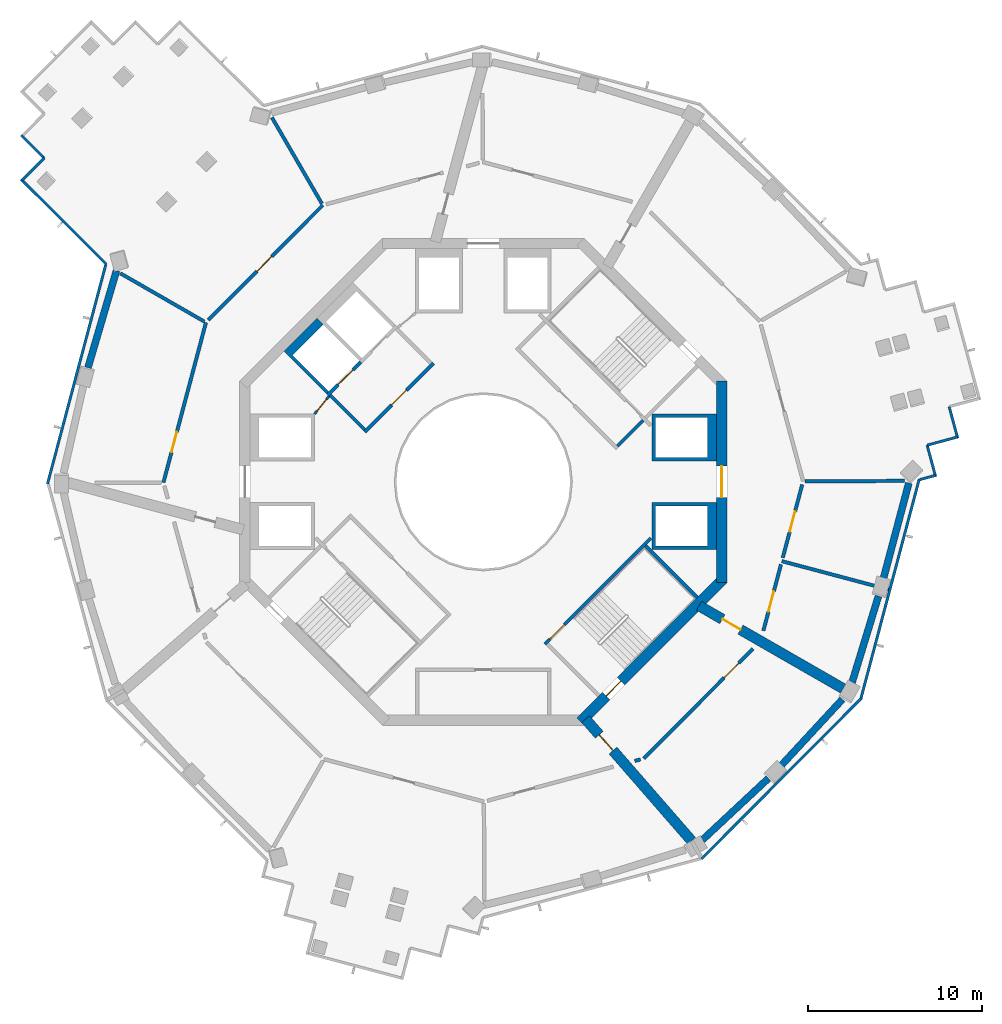
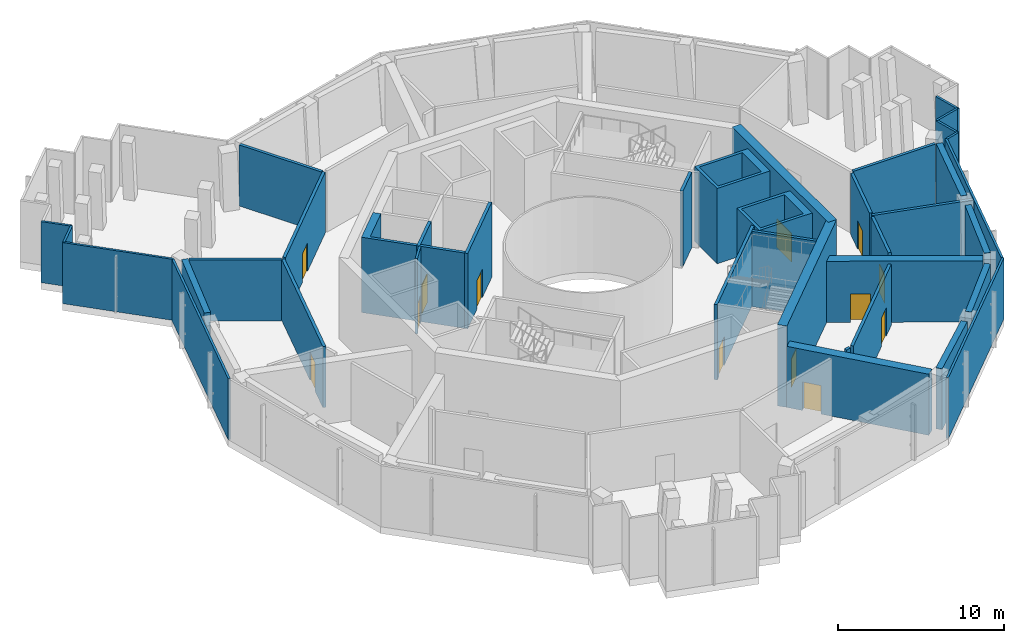
# One storey, part 3 of 16: 39 walls, 13 doors, 13 openings.
"""IFC4 building model written with IfcOpenShell, lengths in metres."""

import ifcopenshell
import ifcopenshell.guid

model = None  # the IFC model being written
_history = None  # IfcOwnerHistory: only IFC2X3 demands one
_inside = {}  # id of a spatial element -> (the spatial element, [elements in it])
_under = {}  # id of a project, library or spatial element -> (it, [spatial elements below it])
_declared = {}  # id of a project -> (the project, [libraries it declares])
_typed = {}  # id of a type object -> (the type object, [elements of that type])
_made_of = {}  # id of a material, layer set ... -> (it, [elements and type objects made of it])


def new_model(schema):
    """Start an empty IFC model of exactly this schema.

    Asked for "IFC4X3", IfcOpenShell would pick the latest addendum, in which some entities
    have other attributes; the version numbers below select the first issue.
    IFC2X3 requires an IfcOwnerHistory on every rooted entity: one is made here for all.
    """
    global model, _history
    if schema == "IFC4X3":
        model = ifcopenshell.file(schema_version=(4, 3, 0, 0))
    else:
        model = ifcopenshell.file(schema=schema)
    _inside.clear()
    _under.clear()
    _declared.clear()
    _typed.clear()
    _made_of.clear()
    _history = None
    if model.schema == "IFC2X3":
        org = make("IfcOrganization", Name="unknown")
        user = make(
            "IfcPersonAndOrganization",
            ThePerson=make("IfcPerson", FamilyName="unknown"),
            TheOrganization=org,
        )
        app = make(
            "IfcApplication",
            ApplicationDeveloper=org,
            Version="unknown",
            ApplicationFullName="unknown",
            ApplicationIdentifier="unknown",
        )
        _history = make(
            "IfcOwnerHistory",
            OwningUser=user,
            OwningApplication=app,
            ChangeAction="ADDED",
            CreationDate=0,
        )
    return model


def make(cls, **values):
    """One entity of the class cls with the attributes given. An attribute that is None is left unset."""
    return model.create_entity(
        cls, **{name: value for name, value in values.items() if value is not None}
    )


def rooted(cls, **values):
    """An entity with a GlobalId (a new one), such as an element, a storey or a relation."""
    return make(cls, GlobalId=ifcopenshell.guid.new(), OwnerHistory=_history, **values)


def si_unit(unit_type, name, prefix=None):
    """IfcSIUnit, for example si_unit("LENGTHUNIT", "METRE", prefix="MILLI")."""
    return make("IfcSIUnit", UnitType=unit_type, Prefix=prefix, Name=name)


def assignment(units):
    """IfcUnitAssignment: the units of a project."""
    return None if units is None else make("IfcUnitAssignment", Units=units)


def point(xyz):
    """IfcCartesianPoint."""
    return None if xyz is None else make("IfcCartesianPoint", Coordinates=xyz)


def direction(xyz):
    """IfcDirection."""
    return None if xyz is None else make("IfcDirection", DirectionRatios=xyz)


def frame(location, z_axis=None, x_axis=None):
    """IfcAxis2Placement3D, a coordinate frame: its origin and axes. An axis left out is left unset."""
    return make(
        "IfcAxis2Placement3D",
        Location=point(location),
        Axis=direction(z_axis),
        RefDirection=direction(x_axis),
    )


def frame_2d(location, x_axis=None):
    """IfcAxis2Placement2D, a coordinate frame in the plane: its origin and x axis."""
    return make(
        "IfcAxis2Placement2D", Location=point(location), RefDirection=direction(x_axis)
    )


def origin():
    """The frame at (0, 0, 0) with its axes left unset."""
    return frame((0.0, 0.0, 0.0))


def place(relative_to, where):
    """IfcLocalPlacement: puts the frame where relative to a parent placement (None: the world)."""
    return make(
        "IfcLocalPlacement", PlacementRelTo=relative_to, RelativePlacement=where
    )


def context(
    kind, dimensions, precision=None, world=None, true_north=None, identifier=None
):
    """IfcGeometricRepresentationContext, for example the 3D "Model" context."""
    return make(
        "IfcGeometricRepresentationContext",
        ContextIdentifier=identifier,
        ContextType=kind,
        CoordinateSpaceDimension=dimensions,
        Precision=precision,
        WorldCoordinateSystem=world,
        TrueNorth=true_north,
    )


def subcontext(parent, identifier, kind, view, scale=None):
    """IfcGeometricRepresentationSubContext, for example "Body" below "Model"."""
    return make(
        "IfcGeometricRepresentationSubContext",
        ContextIdentifier=identifier,
        ContextType=kind,
        ParentContext=parent,
        TargetScale=scale,
        TargetView=view,
    )


def project(units=None, contexts=None):
    """IfcProject with its units and contexts."""
    return rooted(
        "IfcProject",
        Name="project",
        RepresentationContexts=contexts,
        UnitsInContext=assignment(units),
    )


def spatial(cls, under=None, at=None, **own):
    """A site, building, storey or space (cls), placed at a placement, below another one or the project."""
    s = rooted(cls, ObjectPlacement=at, **own)
    if under is not None:
        _under.setdefault(under.id(), (under, []))[1].append(s)
    return s


def polyline(points):
    """IfcPolyline through the points."""
    return make("IfcPolyline", Points=[point(p) for p in points])


def profile(cls, at=None, kind="AREA", **sizes):
    """A parametric profile (cls). Its sizes go by their IFC names, for example OverallWidth=200.0."""
    return make(cls, ProfileType=kind, Position=at, **sizes)


def rectangle(**sizes):
    """IfcRectangleProfileDef."""
    return profile("IfcRectangleProfileDef", **sizes)


def outline(outer, holes=None, kind="AREA"):
    """IfcArbitraryClosedProfileDef: a profile drawn as a closed curve; with holes, ...WithVoids."""
    if holes is None:
        return make("IfcArbitraryClosedProfileDef", ProfileType=kind, OuterCurve=outer)
    return make(
        "IfcArbitraryProfileDefWithVoids",
        ProfileType=kind,
        OuterCurve=outer,
        InnerCurves=holes,
    )


def extrude(swept, where, along, depth):
    """IfcExtrudedAreaSolid: the profile swept, set in the frame where, extruded along a direction by depth."""
    return make(
        "IfcExtrudedAreaSolid",
        SweptArea=swept,
        Position=where,
        ExtrudedDirection=direction(along),
        Depth=depth,
    )


def shape(context_of_items, identifier, shape_type, items):
    """IfcShapeRepresentation: the items that make up one representation, for example the "Body"."""
    return make(
        "IfcShapeRepresentation",
        ContextOfItems=context_of_items,
        RepresentationIdentifier=identifier,
        RepresentationType=shape_type,
        Items=items,
    )


def material(Name=None, Category=None):
    """IfcMaterial."""
    return make("IfcMaterial", Name=Name, Category=Category)


def layer(
    of_material, thickness, ventilated=None, Name=None, Category=None, Priority=None
):
    """IfcMaterialLayer: one layer of a wall or slab, of a material (None: an air gap)."""
    return make(
        "IfcMaterialLayer",
        Material=of_material,
        LayerThickness=thickness,
        IsVentilated=ventilated,
        Name=Name,
        Category=Category,
        Priority=Priority,
    )


def layer_set(layers, Name=None):
    """IfcMaterialLayerSet."""
    return make("IfcMaterialLayerSet", MaterialLayers=layers, LayerSetName=Name)


def made_of(thing, what):
    """Note that an element or type object is made of a material, layer set ...; save() writes the relation."""
    if what is not None:
        _made_of.setdefault(what.id(), (what, []))[1].append(thing)
    return thing


def type_object(cls, material=None, **own):
    """A type object (cls), such as IfcWallType, which elements share."""
    return made_of(rooted(cls, **own), material)


def element(
    cls,
    number,
    at=None,
    inside=None,
    cuts=None,
    type_object=None,
    material=None,
    context=None,
    identifier="Body",
    shape_type=None,
    held_by="IfcProductDefinitionShape",
    body=None,
    shapes=None,
    **own,
):
    """One element of the class cls, such as IfcWall. Its Tag is "e" and its number.

    at: its placement. inside: the storey or other place that contains it. cuts: it is an
    opening in that element (IfcRelVoidsElement). A single representation is given by context,
    identifier, shape_type and body (its items); several are given by shapes. held_by: the class
    of the entity that holds the representations. save() writes the other relations.
    """
    e = rooted(cls, Tag="e%d" % number, ObjectPlacement=at, **own)
    if body is not None:
        shapes = [shape(context, identifier, shape_type, body)]
    if shapes is not None:
        e.Representation = make(held_by, Representations=shapes)
    if inside is not None:
        _inside.setdefault(inside.id(), (inside, []))[1].append(e)
    if cuts is not None:
        rooted(
            "IfcRelVoidsElement", RelatingBuildingElement=cuts, RelatedOpeningElement=e
        )
    if type_object is not None:
        _typed.setdefault(type_object.id(), (type_object, []))[1].append(e)
    return made_of(e, material)


def fill(opening, filler):
    """IfcRelFillsElement: the door or window that sits in an opening."""
    return rooted(
        "IfcRelFillsElement",
        RelatingOpeningElement=opening,
        RelatedBuildingElement=filler,
    )


def aggregate(whole, parts):
    """IfcRelAggregates: a whole, such as a stair, and the parts it consists of."""
    return rooted("IfcRelAggregates", RelatingObject=whole, RelatedObjects=parts)


def save(model, path):
    """Write the relations noted so far, then the file.

    IfcRelAggregates (storeys below a building ...), IfcRelContainedInSpatialStructure (elements
    in a storey), IfcRelDefinesByType, IfcRelAssociatesMaterial and IfcRelDeclares: one each for
    every whole, place, type object, material and project.
    """
    for whole, parts in _under.values():
        aggregate(whole, parts)
    for where, things in _inside.values():
        rooted(
            "IfcRelContainedInSpatialStructure",
            RelatedElements=things,
            RelatingStructure=where,
        )
    for kind, things in _typed.values():
        rooted("IfcRelDefinesByType", RelatedObjects=things, RelatingType=kind)
    for what, things in _made_of.values():
        rooted("IfcRelAssociatesMaterial", RelatedObjects=things, RelatingMaterial=what)
    for by, libraries in _declared.values():
        rooted("IfcRelDeclares", RelatingContext=by, RelatedDefinitions=libraries)
    model.write(path)


model = new_model("IFC4")

# Units and contexts
model_context = context("Model", 3, precision=1e-05, world=origin(), true_north=direction((0.0, 1.0)))
body_context = subcontext(model_context, "Body", "Model", "MODEL_VIEW")
ifc_project = project(units=[si_unit("LENGTHUNIT", "METRE"), si_unit("AREAUNIT", "SQUARE_METRE"), si_unit("VOLUMEUNIT", "CUBIC_METRE"), si_unit("PLANEANGLEUNIT", "RADIAN"), si_unit("MASSUNIT", "GRAM", prefix="KILO")], contexts=[model_context])

# Site, building, storey
site_placement = place(None, origin())
site = spatial("IfcSite", under=ifc_project, at=site_placement, CompositionType="ELEMENT")
building_placement = place(site_placement, origin())
building = spatial("IfcBuilding", under=site, at=building_placement, Name="Verdalira Terraces Hotel", CompositionType="ELEMENT")
storey_placement = place(building_placement, frame((0.0, 0.0, 216.0)))
storey = spatial("IfcBuildingStorey", under=building, at=storey_placement, Name="L53", CompositionType="ELEMENT", Elevation=216.0)

# Walls
ifc_material_1 = material(Name="Concrete C70", Category="concrete")
ifc_layer_1 = layer(ifc_material_1, 0.39990234375)
ifc_layer_set_1 = layer_set([ifc_layer_1], Name="Belt wall 400 C70")
wall_type_1 = type_object("IfcWallType", Name="Belt wall 400 C70", PredefinedType="SHEAR", material=ifc_layer_set_1)
wall_1_placement = place(storey_placement, frame((-21.085205, 12.136719, 0.0), z_axis=(0.0, 0.0, 1.0), x_axis=(-0.28172699, -0.959494608, 0.0)))
element("IfcWall", 1, at=wall_1_placement, inside=storey, type_object=wall_type_1, Name="Belt wall BW-53-1", PredefinedType="SHEAR", context=body_context, shape_type="SweptSolid", body=[
    extrude(rectangle(XDim=5.806885, YDim=0.399902, at=frame_2d((2.90332, 0.0))), origin(), (0.0, 0.0, 1.0), 4.5),
])
wall_2_placement = place(storey_placement, frame((12.593018, -20.586426, 0.0), z_axis=(0.0, 0.0, 1.0), x_axis=(0.731095933, 0.682274678, 0.0)))
element("IfcWall", 2, at=wall_2_placement, inside=storey, type_object=wall_type_1, Name="Belt wall BW-53-9", PredefinedType="SHEAR", context=body_context, shape_type="SweptSolid", body=[
    extrude(rectangle(XDim=5.190674, YDim=0.399902, at=frame_2d((2.595215, 0.0))), origin(), (0.0, 0.0, 1.0), 4.5),
])
for number, where, z_axis, x_axis, name in (
    (3, (17.113281, -16.316406, 0.0), (0.0, 0.0, 1.0), (0.679203547, 0.733949959, 0.0), "Belt wall BW-53-10"),
    (4, (21.198975, -11.531738, 0.0), (0.0, 0.0, 1.0), (0.29202615, 0.956410334, 0.0), "Belt wall BW-53-11"),
):
    element("IfcWall", number, at=place(storey_placement, frame(where, z_axis=z_axis, x_axis=x_axis)), inside=storey, type_object=wall_type_1, Name=name, PredefinedType="SHEAR", context=body_context, shape_type="SweptSolid", body=[
        extrude(rectangle(XDim=5.190918, YDim=0.399902, at=frame_2d((2.595459, 0.0))), origin(), (0.0, 0.0, 1.0), 4.5),
    ])
wall_3_placement = place(storey_placement, frame((22.993408, -5.592041, 0.0), z_axis=(0.0, 0.0, 1.0), x_axis=(0.256776872, 0.966470712, 0.0)))
element("IfcWall", 5, at=wall_3_placement, inside=storey, type_object=wall_type_1, Name="Belt wall BW-53-12", PredefinedType="SHEAR", context=body_context, shape_type="SweptSolid", body=[
    extrude(rectangle(XDim=5.713379, YDim=0.399902, at=frame_2d((2.856689, 0.0))), origin(), (0.0, 0.0, 1.0), 4.5),
])
ifc_material_2 = material(Name="Concrete C50", Category="concrete")
ifc_layer_2 = layer(ifc_material_2, 0.199951171875)
ifc_layer_set_2 = layer_set([ifc_layer_2], Name="Core RC wall 200 C50")
wall_type_2 = type_object("IfcWallType", Name="Core RC wall 200 C50", PredefinedType="SOLIDWALL", material=ifc_layer_set_2)
wall_4_placement = place(storey_placement, origin())
element("IfcWall", 6, at=wall_4_placement, inside=storey, type_object=wall_type_2, Name="L53 shaft wall E1", PredefinedType="SOLIDWALL", context=body_context, shape_type="SweptSolid", body=[
    extrude(outline(polyline([(13.399902, -1.199951), (13.399902, -3.899902), (9.699951, -3.899902), (9.699951, -1.199951), (13.399902, -1.199951)]), holes=[polyline([(9.899902, -3.699951), (12.899902, -3.699951), (12.899902, -1.399902), (9.899902, -1.399902), (9.899902, -3.699951)])]), origin(), (0.0, 0.0, 1.0), 5.550049),
])
wall_5_placement = place(storey_placement, origin())
element("IfcWall", 7, at=wall_5_placement, inside=storey, type_object=wall_type_2, Name="L53 shaft wall E2", PredefinedType="SOLIDWALL", context=body_context, shape_type="SweptSolid", body=[
    extrude(outline(polyline([(9.699951, 3.899902), (13.399902, 3.899902), (13.399902, 1.199951), (9.699951, 1.199951), (9.699951, 3.899902)]), holes=[polyline([(12.899902, 1.399902), (12.899902, 3.699951), (9.899902, 3.699951), (9.899902, 1.399902), (12.899902, 1.399902)])]), origin(), (0.0, 0.0, 1.0), 5.550049),
])
wall_6_placement = place(storey_placement, origin())
element("IfcWall", 8, at=wall_6_placement, inside=storey, type_object=wall_type_2, Name="L53 shaft wall F2", PredefinedType="SOLIDWALL", context=body_context, shape_type="SweptSolid", body=[
    extrude(outline(polyline([(-11.455078, 7.495361), (-9.545898, 9.404541), (-9.192383, 9.051025), (-10.960205, 7.283203), (-8.874268, 5.197266), (-9.015625, 5.055908), (-11.455078, 7.495361)])), origin(), (0.0, 0.0, 1.0), 5.550049),
])

# Wall, opening, door
wall_7_placement = place(storey_placement, frame((-7.035645, 6.894287, 0.0), z_axis=(0.0, 0.0, 1.0), x_axis=(-0.707106781, -0.707106781, 0.0)))
wall_7 = element("IfcWall", 9, at=wall_7_placement, inside=storey, type_object=wall_type_2, Name="L53 shaft front wall F2", PredefinedType="SOLIDWALL", context=body_context, shape_type="SweptSolid", body=[
    extrude(rectangle(XDim=2.699951, YDim=0.199951, at=frame_2d((1.350098, 0.0))), origin(), (0.0, 0.0, 1.0), 5.550049),
])
opening_1_placement = place(wall_7_placement, frame((0.649902, 0.0, 0.0)))
opening_1 = element("IfcOpeningElement", 10, at=opening_1_placement, cuts=wall_7, Name="Opening LD-L53-803", PredefinedType="OPENING", context=body_context, shape_type="SweptSolid", body=[
    extrude(rectangle(XDim=1.199951, YDim=2.100098, at=frame_2d((0.600098, 1.050049))), frame((0.0, 0.109863, 0.0), z_axis=(0.0, -1.0, 0.0), x_axis=(1.0, 0.0, 0.0)), (0.0, 0.0, 1.0), 0.219971),
])
ifc_material_3 = material(Name="Stainless steel", Category="steel")
door_type_1 = type_object("IfcDoorType", Name="Landing door 1200 x 2100", OperationType="NOTDEFINED", PredefinedType="DOOR", material=ifc_material_3)
door_1_placement = place(opening_1_placement, origin())
door_1 = element("IfcDoor", 11, at=door_1_placement, inside=storey, type_object=door_type_1, Name="Lift landing door LF12 L53", OperationType="DOUBLE_DOOR_SLIDING", OverallHeight=2.10009765625, OverallWidth=1.199951171875, PredefinedType="DOOR", context=body_context, shape_type="SweptSolid", body=[
    extrude(rectangle(XDim=1.199951, YDim=2.100098, at=frame_2d((0.600098, 1.050049))), frame((0.0, 0.024902, 0.0), z_axis=(0.0, -1.0, 0.0), x_axis=(1.0, 0.0, 0.0)), (0.0, 0.0, 1.0), 0.050049),
])
fill(opening_1, door_1)

wall_8_placement = place(storey_placement, frame((9.629395, -3.23999, 0.0), z_axis=(0.0, 0.0, 1.0), x_axis=(-0.707120946, -0.707092617, 0.0)))
wall_8 = element("IfcWall", 12, at=wall_8_placement, inside=storey, type_object=wall_type_2, Name="L53 stair ST3 front wall", PredefinedType="SOLIDWALL", context=body_context, shape_type="SweptSolid", body=[
    extrude(rectangle(XDim=8.61792, YDim=0.199951, at=frame_2d((4.309082, 0.0))), origin(), (0.0, 0.0, 1.0), 5.550049),
])
opening_2_placement = place(wall_8_placement, frame((7.017822, 0.0, 0.0)))
opening_2 = element("IfcOpeningElement", 13, at=opening_2_placement, cuts=wall_8, Name="Opening L53-806", PredefinedType="OPENING", context=body_context, shape_type="SweptSolid", body=[
    extrude(rectangle(XDim=1.199951, YDim=2.100098, at=frame_2d((0.600098, 1.050049))), frame((0.0, 0.109863, 0.0), z_axis=(0.0, -1.0, 0.0), x_axis=(1.0, 0.0, 0.0)), (0.0, 0.0, 1.0), 0.219971),
])
ifc_material_4 = material(Name="Steel fire door", Category="steel")
door_type_2 = type_object("IfcDoorType", Name="Stair door 1200 x 2100", OperationType="NOTDEFINED", PredefinedType="DOOR", material=ifc_material_4)
door_2_placement = place(opening_2_placement, origin())
door_2 = element("IfcDoor", 14, at=door_2_placement, inside=storey, type_object=door_type_2, Name="Stair door ST3 L53", OperationType="SINGLE_SWING_RIGHT", OverallHeight=2.10009765625, OverallWidth=1.199951171875, PredefinedType="DOOR", context=body_context, shape_type="SweptSolid", body=[
    extrude(rectangle(XDim=1.199951, YDim=2.100098, at=frame_2d((0.600098, 1.050049))), frame((0.0, 0.024902, 0.0), z_axis=(0.0, -1.0, 0.0), x_axis=(1.0, 0.0, 0.0)), (0.0, 0.0, 1.0), 0.050049),
])
fill(opening_2, door_2)

# Wall
wall_9_placement = place(storey_placement, frame((9.33374, -3.677002, 0.0), z_axis=(0.0, 0.0, 1.0), x_axis=(0.707135845, -0.707077716, 0.0)))
element("IfcWall", 15, at=wall_9_placement, inside=storey, type_object=wall_type_2, Name="L53 stair ST3 end wall 2", PredefinedType="SOLIDWALL", context=body_context, shape_type="SweptSolid", body=[
    extrude(rectangle(XDim=4.199951, YDim=0.199951, at=frame_2d((2.100098, 0.0))), origin(), (0.0, 0.0, 1.0), 5.550049),
])

# Wall, opening, door
wall_10_placement = place(storey_placement, frame((-2.86377, 6.823486, 0.0), z_axis=(0.0, 0.0, 1.0), x_axis=(-0.707106781, -0.707106781, 0.0)))
wall_10 = element("IfcWall", 16, at=wall_10_placement, inside=storey, type_object=wall_type_2, Name="L53 fire lobby wall", PredefinedType="SOLIDWALL", context=body_context, shape_type="SweptSolid", body=[
    extrude(rectangle(XDim=5.599854, YDim=0.199951, at=frame_2d((2.799805, 0.0))), origin(), (0.0, 0.0, 1.0), 5.550049),
])
opening_3_placement = place(wall_10_placement, frame((2.199951, 0.0, 0.0)))
opening_3 = element("IfcOpeningElement", 17, at=opening_3_placement, cuts=wall_10, Name="Opening L53-813", PredefinedType="OPENING", context=body_context, shape_type="SweptSolid", body=[
    extrude(rectangle(XDim=1.199951, YDim=2.100098, at=frame_2d((0.600098, 1.050049))), frame((0.0, 0.109863, 0.0), z_axis=(0.0, -1.0, 0.0), x_axis=(1.0, 0.0, 0.0)), (0.0, 0.0, 1.0), 0.219971),
])
ifc_material_5 = material(Name="Steel fire door", Category="steel")
door_type_3 = type_object("IfcDoorType", Name="Lobby door 1200 x 2100", OperationType="NOTDEFINED", PredefinedType="DOOR", material=ifc_material_5)
door_3_placement = place(opening_3_placement, origin())
door_3 = element("IfcDoor", 18, at=door_3_placement, inside=storey, type_object=door_type_3, Name="Fire lobby door L53", OperationType="SINGLE_SWING_LEFT", OverallHeight=2.10009765625, OverallWidth=1.199951171875, PredefinedType="DOOR", context=body_context, shape_type="SweptSolid", body=[
    extrude(rectangle(XDim=1.199951, YDim=2.100098, at=frame_2d((0.600098, 1.050049))), frame((0.0, 0.024902, 0.0), z_axis=(0.0, -1.0, 0.0), x_axis=(1.0, 0.0, 0.0)), (0.0, 0.0, 1.0), 0.050049),
])
fill(opening_3, door_3)

# Walls
wall_11_placement = place(storey_placement, frame((-6.823486, 3.005127, 0.0), z_axis=(0.0, 0.0, 1.0), x_axis=(-0.707106781, 0.707106781, 0.0)))
element("IfcWall", 19, at=wall_11_placement, inside=storey, type_object=wall_type_2, Name="L53 fire lobby wall", PredefinedType="SOLIDWALL", context=body_context, shape_type="SweptSolid", body=[
    extrude(rectangle(XDim=2.800049, YDim=0.199951, at=frame_2d((1.399902, 0.0))), origin(), (0.0, 0.0, 1.0), 5.550049),
])
wall_12_placement = place(storey_placement, frame((7.70752, 2.050537, 0.0), z_axis=(0.0, 0.0, 1.0), x_axis=(0.707106781, 0.707106781, 0.0)))
element("IfcWall", 20, at=wall_12_placement, inside=storey, type_object=wall_type_2, Name="Stair lobby wall ST1 L53", PredefinedType="SOLIDWALL", context=body_context, shape_type="SweptSolid", body=[
    extrude(rectangle(XDim=2.099854, YDim=0.199951, at=frame_2d((1.049805, 0.0))), origin(), (0.0, 0.0, 1.0), 5.550049),
])

# Wall, opening, door
ifc_material_6 = material(Name="Gypsum board partition")
ifc_layer_3 = layer(ifc_material_6, 0.14990234375)
ifc_layer_set_3 = layer_set([ifc_layer_3], Name="Core partition 150 mm")
wall_type_3 = type_object("IfcWallType", Name="Core partition 150 mm", PredefinedType="PARTITIONING", material=ifc_layer_set_3)
wall_13_placement = place(storey_placement, frame((-8.874268, 4.914307, 0.0), z_axis=(0.0, 0.0, 1.0), x_axis=(-0.631274009, -0.775559878, 0.0)))
wall_13 = element("IfcWall", 21, at=wall_13_placement, inside=storey, type_object=wall_type_3, Name="Room partition L53", PredefinedType="PARTITIONING", context=body_context, shape_type="SweptSolid", body=[
    extrude(rectangle(XDim=1.307861, YDim=0.149902, at=frame_2d((0.653809, 0.0))), origin(), (0.0, 0.0, 1.0), 5.550049),
])
opening_4_placement = place(wall_13_placement, frame((0.204102, 0.0, 0.0)))
opening_4 = element("IfcOpeningElement", 22, at=opening_4_placement, cuts=wall_13, Name="Opening L53-815", PredefinedType="OPENING", context=body_context, shape_type="SweptSolid", body=[
    extrude(rectangle(XDim=0.899902, YDim=2.100098, at=frame_2d((0.449951, 1.050049))), frame((0.0, 0.084961, 0.0), z_axis=(0.0, -1.0, 0.0), x_axis=(1.0, 0.0, 0.0)), (0.0, 0.0, 1.0), 0.169922),
])
ifc_material_7 = material(Name="Steel fire door", Category="steel")
door_type_4 = type_object("IfcDoorType", Name="Core room door 900 x 2100", OperationType="NOTDEFINED", PredefinedType="DOOR", material=ifc_material_7)
door_4_placement = place(opening_4_placement, origin())
door_4 = element("IfcDoor", 23, at=door_4_placement, inside=storey, type_object=door_type_4, Name="Door L53 room3", OperationType="SINGLE_SWING_LEFT", OverallHeight=2.10009765625, OverallWidth=0.89990234375, PredefinedType="DOOR", context=body_context, shape_type="SweptSolid", body=[
    extrude(rectangle(XDim=0.899902, YDim=2.100098, at=frame_2d((0.449951, 1.050049))), frame((0.0, 0.024902, 0.0), z_axis=(0.0, -1.0, 0.0), x_axis=(1.0, 0.0, 0.0)), (0.0, 0.0, 1.0), 0.050049),
])
fill(opening_4, door_4)

ifc_material_8 = material(Name="Concrete C60", Category="concrete")
ifc_layer_4 = layer(ifc_material_8, 0.60009765625)
ifc_layer_set_4 = layer_set([ifc_layer_4], Name="Core wall 600 C60")
wall_type_4 = type_object("IfcWallType", Name="Core wall 600 C60", PredefinedType="SHEAR", material=ifc_layer_set_4)
wall_14_placement = place(storey_placement, frame((13.699951, -5.799072, 0.0), z_axis=(0.0, 0.0, 1.0), x_axis=(0.0, 1.0, 0.0)))
wall_14 = element("IfcWall", 24, at=wall_14_placement, inside=storey, type_object=wall_type_4, Name="Core wall CW-L53-1", PredefinedType="SHEAR", context=body_context, shape_type="SweptSolid", body=[
    extrude(rectangle(XDim=11.598145, YDim=0.600098, at=frame_2d((5.799072, 0.0))), origin(), (0.0, 0.0, 1.0), 6.0),
])
opening_5_placement = place(wall_14_placement, frame((4.898926, 0.0, 0.0)))
opening_5 = element("IfcOpeningElement", 25, at=opening_5_placement, cuts=wall_14, Name="Opening L53-807", PredefinedType="OPENING", context=body_context, shape_type="SweptSolid", body=[
    extrude(rectangle(XDim=1.800049, YDim=2.100098, at=frame_2d((0.899902, 1.050049))), frame((0.0, 0.310059, 0.0), z_axis=(0.0, -1.0, 0.0), x_axis=(1.0, 0.0, 0.0)), (0.0, 0.0, 1.0), 0.620117),
])
ifc_material_9 = material(Name="Steel fire door", Category="steel")
door_type_5 = type_object("IfcDoorType", Name="Core entry door pair 1800 x 2100", OperationType="NOTDEFINED", PredefinedType="DOOR", material=ifc_material_9)
door_5_placement = place(opening_5_placement, origin())
door_5 = element("IfcDoor", 26, at=door_5_placement, inside=storey, type_object=door_type_5, Name="Core entry door L53 0", OperationType="DOUBLE_DOOR_SINGLE_SWING", OverallHeight=2.10009765625, OverallWidth=1.800048828125, PredefinedType="DOOR", context=body_context, shape_type="SweptSolid", body=[
    extrude(rectangle(XDim=1.800049, YDim=2.100098, at=frame_2d((0.899902, 1.050049))), frame((0.0, 0.024902, 0.0), z_axis=(0.0, -1.0, 0.0), x_axis=(1.0, 0.0, 0.0)), (0.0, 0.0, 1.0), 0.050049),
])
fill(opening_5, door_5)

wall_15_placement = place(storey_placement, frame((5.586914, -13.787842, 0.0), z_axis=(0.0, 0.0, 1.0), x_axis=(0.707106781, 0.707106781, 0.0)))
wall_15 = element("IfcWall", 27, at=wall_15_placement, inside=storey, type_object=wall_type_4, Name="Core wall CW-L53-8", PredefinedType="SHEAR", context=body_context, shape_type="SweptSolid", body=[
    extrude(rectangle(XDim=11.5979, YDim=0.600098, at=frame_2d((5.798828, 0.0))), origin(), (0.0, 0.0, 1.0), 6.0),
])
opening_6_placement = place(wall_15_placement, frame((2.099121, 0.0, 0.0)))
opening_6 = element("IfcOpeningElement", 28, at=opening_6_placement, cuts=wall_15, Name="Opening L53-812", PredefinedType="OPENING", context=body_context, shape_type="SweptSolid", body=[
    extrude(rectangle(XDim=1.199951, YDim=2.100098, at=frame_2d((0.600098, 1.050049))), frame((0.0, 0.310059, 0.0), z_axis=(0.0, -1.0, 0.0), x_axis=(1.0, 0.0, 0.0)), (0.0, 0.0, 1.0), 0.620117),
])
door_6_placement = place(opening_6_placement, origin())
door_6 = element("IfcDoor", 29, at=door_6_placement, inside=storey, type_object=door_type_2, Name="Stair exit door ST3 L53", OperationType="SINGLE_SWING_LEFT", OverallHeight=2.10009765625, OverallWidth=1.199951171875, PredefinedType="DOOR", context=body_context, shape_type="SweptSolid", body=[
    extrude(rectangle(XDim=1.199951, YDim=2.100098, at=frame_2d((0.600098, 1.050049))), frame((0.0, 0.024902, 0.0), z_axis=(0.0, -1.0, 0.0), x_axis=(1.0, 0.0, 0.0)), (0.0, 0.0, 1.0), 0.050049),
])
fill(opening_6, door_6)

ifc_material_10 = material(Name="Concrete C70", Category="concrete")
ifc_layer_5 = layer(ifc_material_10, 0.60009765625)
ifc_layer_set_5 = layer_set([ifc_layer_5], Name="Outrigger wall 600 C70")
wall_type_5 = type_object("IfcWallType", Name="Outrigger wall 600 C70", PredefinedType="SHEAR", material=ifc_layer_set_5)
wall_16_placement = place(storey_placement, frame((5.87915, -13.637695, 0.0), z_axis=(0.0, 0.0, 1.0), x_axis=(0.656669219, -0.754178716, 0.0)))
wall_16 = element("IfcWall", 30, at=wall_16_placement, inside=storey, type_object=wall_type_5, Name="Outrigger wall OW-53-3", PredefinedType="SHEAR", context=body_context, shape_type="SweptSolid", body=[
    extrude(rectangle(XDim=9.276367, YDim=0.600098, at=frame_2d((4.638184, 0.0))), origin(), (0.0, 0.0, 1.0), 4.5),
])
opening_7_placement = place(wall_16_placement, frame((1.199951, 0.0, 0.0)))
opening_7 = element("IfcOpeningElement", 31, at=opening_7_placement, cuts=wall_16, Name="Opening L53-103", PredefinedType="OPENING", context=body_context, shape_type="SweptSolid", body=[
    extrude(rectangle(XDim=1.199951, YDim=2.100098, at=frame_2d((0.600098, 1.050049))), frame((0.0, 0.310059, 0.0), z_axis=(0.0, -1.0, 0.0), x_axis=(1.0, 0.0, 0.0)), (0.0, 0.0, 1.0), 0.620117),
])
ifc_material_11 = material(Name="Steel fire door", Category="steel")
door_type_6 = type_object("IfcDoorType", Name="Plant room door 1200 x 2100", OperationType="NOTDEFINED", PredefinedType="DOOR", material=ifc_material_11)
door_7_placement = place(opening_7_placement, origin())
door_7 = element("IfcDoor", 32, at=door_7_placement, inside=storey, type_object=door_type_6, Name="Plant room door", OperationType="SINGLE_SWING_LEFT", OverallHeight=2.10009765625, OverallWidth=1.199951171875, PredefinedType="DOOR", context=body_context, shape_type="SweptSolid", body=[
    extrude(rectangle(XDim=1.199951, YDim=2.100098, at=frame_2d((0.600098, 1.050049))), frame((0.0, 0.024902, 0.0), z_axis=(0.0, -1.0, 0.0), x_axis=(1.0, 0.0, 0.0)), (0.0, 0.0, 1.0), 0.050049),
])
fill(opening_7, door_7)

wall_17_placement = place(storey_placement, frame((12.400879, -7.125, 0.0), z_axis=(0.0, 0.0, 1.0), x_axis=(0.867072189, -0.498182515, 0.0)))
wall_17 = element("IfcWall", 33, at=wall_17_placement, inside=storey, type_object=wall_type_5, Name="Outrigger wall OW-53-4", PredefinedType="SHEAR", context=body_context, shape_type="SweptSolid", body=[
    extrude(rectangle(XDim=9.552734, YDim=0.600098, at=frame_2d((4.776367, 0.0))), origin(), (0.0, 0.0, 1.0), 4.5),
])
opening_8_placement = place(wall_17_placement, frame((1.550049, 0.0, 0.0)))
opening_8 = element("IfcOpeningElement", 34, at=opening_8_placement, cuts=wall_17, Name="Opening L53-104", PredefinedType="OPENING", context=body_context, shape_type="SweptSolid", body=[
    extrude(rectangle(XDim=1.199951, YDim=2.100098, at=frame_2d((0.600098, 1.050049))), frame((0.0, 0.310059, 0.0), z_axis=(0.0, -1.0, 0.0), x_axis=(1.0, 0.0, 0.0)), (0.0, 0.0, 1.0), 0.620117),
])
door_8_placement = place(opening_8_placement, origin())
door_8 = element("IfcDoor", 35, at=door_8_placement, inside=storey, type_object=door_type_6, Name="Plant room door", OperationType="SINGLE_SWING_LEFT", OverallHeight=2.10009765625, OverallWidth=1.199951171875, PredefinedType="DOOR", context=body_context, shape_type="SweptSolid", body=[
    extrude(rectangle(XDim=1.199951, YDim=2.100098, at=frame_2d((0.600098, 1.050049))), frame((0.0, 0.024902, 0.0), z_axis=(0.0, -1.0, 0.0), x_axis=(1.0, 0.0, 0.0)), (0.0, 0.0, 1.0), 0.050049),
])
fill(opening_8, door_8)

# Wall
ifc_material_12 = material(Name="Fire-rated concrete block wall", Category="concrete")
ifc_layer_6 = layer(ifc_material_12, 0.199951171875)
ifc_layer_set_6 = layer_set([ifc_layer_6], Name="Plant room wall 200 mm")
wall_type_6 = type_object("IfcWallType", Name="Plant room wall 200 mm", PredefinedType="SOLIDWALL", material=ifc_layer_set_6)
wall_18_placement = place(storey_placement, frame((-16.030762, 9.210693, 0.0), z_axis=(0.0, 0.0, 1.0), x_axis=(-0.867079385, 0.498169991, 0.0)))
element("IfcWall", 36, at=wall_18_placement, inside=storey, type_object=wall_type_6, Name="Plant room wall", PredefinedType="SOLIDWALL", context=body_context, shape_type="SweptSolid", body=[
    extrude(rectangle(XDim=5.575684, YDim=0.199951, at=frame_2d((2.787842, 0.0))), origin(), (0.0, 0.0, 1.0), 4.5),
])

# Wall, opening, door
wall_19_placement = place(storey_placement, frame((-18.384766, -0.038574, 0.0), z_axis=(0.0, 0.0, 1.0), x_axis=(0.256797122, 0.966465332, 0.0)))
wall_19 = element("IfcWall", 37, at=wall_19_placement, inside=storey, type_object=wall_type_6, Name="Plant room wall", PredefinedType="SOLIDWALL", context=body_context, shape_type="SweptSolid", body=[
    extrude(rectangle(XDim=9.516602, YDim=0.199951, at=frame_2d((4.758301, 0.0))), origin(), (0.0, 0.0, 1.0), 4.5),
])
opening_9_placement = place(wall_19_placement, frame((1.800049, 0.0, 0.0)))
opening_9 = element("IfcOpeningElement", 38, at=opening_9_placement, cuts=wall_19, Name="Opening L53-108", PredefinedType="OPENING", context=body_context, shape_type="SweptSolid", body=[
    extrude(rectangle(XDim=1.199951, YDim=2.100098, at=frame_2d((0.600098, 1.050049))), frame((0.0, 0.109863, 0.0), z_axis=(0.0, -1.0, 0.0), x_axis=(1.0, 0.0, 0.0)), (0.0, 0.0, 1.0), 0.219971),
])
door_9_placement = place(opening_9_placement, origin())
door_9 = element("IfcDoor", 39, at=door_9_placement, inside=storey, type_object=door_type_6, Name="Plant room door 5302", OperationType="SINGLE_SWING_LEFT", OverallHeight=2.10009765625, OverallWidth=1.199951171875, PredefinedType="DOOR", context=body_context, shape_type="SweptSolid", body=[
    extrude(rectangle(XDim=1.199951, YDim=2.100098, at=frame_2d((0.600098, 1.050049))), frame((0.0, 0.024902, 0.0), z_axis=(0.0, -1.0, 0.0), x_axis=(1.0, 0.0, 0.0)), (0.0, 0.0, 1.0), 0.050049),
])
fill(opening_9, door_9)

wall_20_placement = place(storey_placement, frame((-15.799805, 9.300781, 0.0), z_axis=(0.0, 0.0, 1.0), x_axis=(0.7056378, 0.708572717, 0.0)))
wall_20 = element("IfcWall", 40, at=wall_20_placement, inside=storey, type_object=wall_type_6, Name="Plant room wall", PredefinedType="SOLIDWALL", context=body_context, shape_type="SweptSolid", body=[
    extrude(rectangle(XDim=9.31665, YDim=0.199951, at=frame_2d((4.658203, 0.0))), origin(), (0.0, 0.0, 1.0), 4.5),
])
opening_10_placement = place(wall_20_placement, frame((3.949951, 0.0, 0.0)))
opening_10 = element("IfcOpeningElement", 41, at=opening_10_placement, cuts=wall_20, Name="Opening L53-107", PredefinedType="OPENING", context=body_context, shape_type="SweptSolid", body=[
    extrude(rectangle(XDim=1.199951, YDim=2.100098, at=frame_2d((0.600098, 1.050049))), frame((0.0, 0.109863, 0.0), z_axis=(0.0, -1.0, 0.0), x_axis=(1.0, 0.0, 0.0)), (0.0, 0.0, 1.0), 0.219971),
])
door_10_placement = place(opening_10_placement, origin())
door_10 = element("IfcDoor", 42, at=door_10_placement, inside=storey, type_object=door_type_6, Name="Plant room door 5301", OperationType="SINGLE_SWING_LEFT", OverallHeight=2.10009765625, OverallWidth=1.199951171875, PredefinedType="DOOR", context=body_context, shape_type="SweptSolid", body=[
    extrude(rectangle(XDim=1.199951, YDim=2.100098, at=frame_2d((0.600098, 1.050049))), frame((0.0, 0.024902, 0.0), z_axis=(0.0, -1.0, 0.0), x_axis=(1.0, 0.0, 0.0)), (0.0, 0.0, 1.0), 0.050049),
])
fill(opening_10, door_10)

# Walls
wall_21_placement = place(storey_placement, frame((-12.150879, 20.94458, 0.0), z_axis=(0.0, 0.0, 1.0), x_axis=(0.501817633, -0.864973447, 0.0)))
element("IfcWall", 43, at=wall_21_placement, inside=storey, type_object=wall_type_6, Name="Plant room wall", PredefinedType="SOLIDWALL", context=body_context, shape_type="SweptSolid", body=[
    extrude(rectangle(XDim=5.72583, YDim=0.199951, at=frame_2d((2.862793, 0.0))), origin(), (0.0, 0.0, 1.0), 4.5),
])
wall_22_placement = place(storey_placement, frame((8.702637, -16.043701, 0.0), z_axis=(0.0, 0.0, 1.0), x_axis=(0.96543627, 0.26063923, 0.0)))
element("IfcWall", 44, at=wall_22_placement, inside=storey, type_object=wall_type_6, Name="Plant room wall", PredefinedType="SOLIDWALL", context=body_context, shape_type="SweptSolid", body=[
    extrude(rectangle(XDim=0.341797, YDim=0.199951, at=frame_2d((0.170898, 0.0))), origin(), (0.0, 0.0, 1.0), 4.5),
])

# Wall, opening, door
wall_23_placement = place(storey_placement, frame((15.502686, -9.599121, 0.0), z_axis=(0.0, 0.0, 1.0), x_axis=(-0.705636952, -0.708573561, 0.0)))
wall_23 = element("IfcWall", 45, at=wall_23_placement, inside=storey, type_object=wall_type_6, Name="Plant room wall", PredefinedType="SOLIDWALL", context=body_context, shape_type="SweptSolid", body=[
    extrude(rectangle(XDim=8.895752, YDim=0.199951, at=frame_2d((4.447754, 0.0))), origin(), (0.0, 0.0, 1.0), 4.5),
])
opening_11_placement = place(wall_23_placement, frame((1.149902, 0.0, 0.0)))
opening_11 = element("IfcOpeningElement", 46, at=opening_11_placement, cuts=wall_23, Name="Opening L53-113", PredefinedType="OPENING", context=body_context, shape_type="SweptSolid", body=[
    extrude(rectangle(XDim=1.199951, YDim=2.100098, at=frame_2d((0.600098, 1.050049))), frame((0.0, 0.109863, 0.0), z_axis=(0.0, -1.0, 0.0), x_axis=(1.0, 0.0, 0.0)), (0.0, 0.0, 1.0), 0.219971),
])
door_11_placement = place(opening_11_placement, origin())
door_11 = element("IfcDoor", 47, at=door_11_placement, inside=storey, type_object=door_type_6, Name="Plant room door 5307", OperationType="SINGLE_SWING_LEFT", OverallHeight=2.10009765625, OverallWidth=1.199951171875, PredefinedType="DOOR", context=body_context, shape_type="SweptSolid", body=[
    extrude(rectangle(XDim=1.199951, YDim=2.100098, at=frame_2d((0.600098, 1.050049))), frame((0.0, 0.024902, 0.0), z_axis=(0.0, -1.0, 0.0), x_axis=(1.0, 0.0, 0.0)), (0.0, 0.0, 1.0), 0.050049),
])
fill(opening_11, door_11)

wall_24_placement = place(storey_placement, frame((17.111328, -4.753662, 0.0), z_axis=(0.0, 0.0, 1.0), x_axis=(-0.256794113, -0.966466132, 0.0)))
wall_24 = element("IfcWall", 48, at=wall_24_placement, inside=storey, type_object=wall_type_6, Name="Plant room wall", PredefinedType="SOLIDWALL", context=body_context, shape_type="SweptSolid", body=[
    extrude(rectangle(XDim=3.937012, YDim=0.199951, at=frame_2d((1.968506, 0.0))), origin(), (0.0, 0.0, 1.0), 4.5),
])
opening_12_placement = place(wall_24_placement, frame((1.600098, 0.0, 0.0)))
opening_12 = element("IfcOpeningElement", 49, at=opening_12_placement, cuts=wall_24, Name="Opening L53-114", PredefinedType="OPENING", context=body_context, shape_type="SweptSolid", body=[
    extrude(rectangle(XDim=1.199951, YDim=2.100098, at=frame_2d((0.600098, 1.050049))), frame((0.0, 0.109863, 0.0), z_axis=(0.0, -1.0, 0.0), x_axis=(1.0, 0.0, 0.0)), (0.0, 0.0, 1.0), 0.219971),
])
door_12_placement = place(opening_12_placement, origin())
door_12 = element("IfcDoor", 50, at=door_12_placement, inside=storey, type_object=door_type_6, Name="Plant room door 5308", OperationType="SINGLE_SWING_LEFT", OverallHeight=2.10009765625, OverallWidth=1.199951171875, PredefinedType="DOOR", context=body_context, shape_type="SweptSolid", body=[
    extrude(rectangle(XDim=1.199951, YDim=2.100098, at=frame_2d((0.600098, 1.050049))), frame((0.0, 0.024902, 0.0), z_axis=(0.0, -1.0, 0.0), x_axis=(1.0, 0.0, 0.0)), (0.0, 0.0, 1.0), 0.050049),
])
fill(opening_12, door_12)

wall_25_placement = place(storey_placement, frame((18.333496, -0.154785, 0.0), z_axis=(0.0, 0.0, 1.0), x_axis=(-0.256836253, -0.966454934, 0.0)))
wall_25 = element("IfcWall", 51, at=wall_25_placement, inside=storey, type_object=wall_type_6, Name="Plant room wall", PredefinedType="SOLIDWALL", context=body_context, shape_type="SweptSolid", body=[
    extrude(rectangle(XDim=4.358398, YDim=0.199951, at=frame_2d((2.179199, 0.0))), origin(), (0.0, 0.0, 1.0), 4.5),
])
opening_13_placement = place(wall_25_placement, frame((1.600098, 0.0, 0.0)))
opening_13 = element("IfcOpeningElement", 52, at=opening_13_placement, cuts=wall_25, Name="Opening L53-115", PredefinedType="OPENING", context=body_context, shape_type="SweptSolid", body=[
    extrude(rectangle(XDim=1.199951, YDim=2.100098, at=frame_2d((0.600098, 1.050049))), frame((0.0, 0.109863, 0.0), z_axis=(0.0, -1.0, 0.0), x_axis=(1.0, 0.0, 0.0)), (0.0, 0.0, 1.0), 0.219971),
])
door_13_placement = place(opening_13_placement, origin())
door_13 = element("IfcDoor", 53, at=door_13_placement, inside=storey, type_object=door_type_6, Name="Plant room door 5309", OperationType="SINGLE_SWING_LEFT", OverallHeight=2.10009765625, OverallWidth=1.199951171875, PredefinedType="DOOR", context=body_context, shape_type="SweptSolid", body=[
    extrude(rectangle(XDim=1.199951, YDim=2.100098, at=frame_2d((0.600098, 1.050049))), frame((0.0, 0.024902, 0.0), z_axis=(0.0, -1.0, 0.0), x_axis=(1.0, 0.0, 0.0)), (0.0, 0.0, 1.0), 0.050049),
])
fill(opening_13, door_13)

# Walls
wall_26_placement = place(storey_placement, frame((17.162842, -4.560303, 0.0), z_axis=(0.0, 0.0, 1.0), x_axis=(0.966466194, -0.256793878, 0.0)))
element("IfcWall", 54, at=wall_26_placement, inside=storey, type_object=wall_type_6, Name="Plant room wall", PredefinedType="SOLIDWALL", context=body_context, shape_type="SweptSolid", body=[
    extrude(rectangle(XDim=6.349854, YDim=0.199951, at=frame_2d((3.174805, 0.0))), origin(), (0.0, 0.0, 1.0), 4.5),
])
wall_27_placement = place(storey_placement, frame((18.488281, 0.038818, 0.0), z_axis=(0.0, 0.0, 1.0), x_axis=(0.999997817, 0.00208928, 0.0)))
element("IfcWall", 55, at=wall_27_placement, inside=storey, type_object=wall_type_6, Name="Plant room wall", PredefinedType="SOLIDWALL", context=body_context, shape_type="SweptSolid", body=[
    extrude(rectangle(XDim=5.72583, YDim=0.199951, at=frame_2d((2.862793, 0.0))), origin(), (0.0, 0.0, 1.0), 4.5),
])
ifc_material_13 = material(Name="Terracotta cladding", Category="masonry")
ifc_layer_7 = layer(ifc_material_13, 0.14990234375)
ifc_layer_set_7 = layer_set([ifc_layer_7], Name="Terracotta clad wall 150")
wall_type_7 = type_object("IfcWallType", Name="Terracotta clad wall 150", PredefinedType="SOLIDWALL", material=ifc_layer_set_7)
wall_28_placement = place(storey_placement, frame((-26.572266, 19.934082, 0.0), z_axis=(0.0, 0.0, 1.0), x_axis=(0.70860261, -0.705607781, 0.0)))
element("IfcWall", 56, at=wall_28_placement, inside=storey, type_object=wall_type_7, Name="Terracotta cladding wall", PredefinedType="SOLIDWALL", context=body_context, shape_type="SweptSolid", body=[
    extrude(rectangle(XDim=1.875, YDim=0.149902, at=frame_2d((0.9375, 0.0))), origin(), (0.0, 0.0, 1.0), 4.5),
])
wall_29_placement = place(storey_placement, frame((-25.243652, 18.611084, 0.0), z_axis=(0.0, 0.0, 1.0), x_axis=(-0.70554532, -0.708664802, 0.0)))
element("IfcWall", 57, at=wall_29_placement, inside=storey, type_object=wall_type_7, Name="Terracotta cladding wall", PredefinedType="SOLIDWALL", context=body_context, shape_type="SweptSolid", body=[
    extrude(rectangle(XDim=1.800049, YDim=0.149902, at=frame_2d((0.899902, 0.0))), origin(), (0.0, 0.0, 1.0), 4.5),
])
wall_30_placement = place(storey_placement, frame((-26.566895, 17.388428, 0.0), z_axis=(0.0, 0.0, 1.0), x_axis=(0.708588885, -0.705621565, 0.0)))
element("IfcWall", 58, at=wall_30_placement, inside=storey, type_object=wall_type_7, Name="Terracotta cladding wall", PredefinedType="SOLIDWALL", context=body_context, shape_type="SweptSolid", body=[
    extrude(rectangle(XDim=6.911133, YDim=0.149902, at=frame_2d((3.455566, 0.0))), origin(), (0.0, 0.0, 1.0), 4.5),
])
wall_31_placement = place(storey_placement, frame((-21.700195, 12.503418, 0.0), z_axis=(0.0, 0.0, 1.0), x_axis=(-0.256801817, -0.966464085, 0.0)))
element("IfcWall", 59, at=wall_31_placement, inside=storey, type_object=wall_type_7, Name="Terracotta cladding wall", PredefinedType="SOLIDWALL", context=body_context, shape_type="SweptSolid", body=[
    extrude(rectangle(XDim=13.046387, YDim=0.149902, at=frame_2d((6.523193, 0.0))), origin(), (0.0, 0.0, 1.0), 4.5),
])
wall_32_placement = place(storey_placement, frame((12.549316, -21.670166, 0.0), z_axis=(0.0, 0.0, 1.0), x_axis=(0.705625581, 0.708584885, 0.0)))
element("IfcWall", 60, at=wall_32_placement, inside=storey, type_object=wall_type_7, Name="Terracotta cladding wall", PredefinedType="SOLIDWALL", context=body_context, shape_type="SweptSolid", body=[
    extrude(rectangle(XDim=13.034912, YDim=0.149902, at=frame_2d((6.517578, 0.0))), origin(), (0.0, 0.0, 1.0), 4.5),
])
wall_33_placement = place(storey_placement, frame((21.703125, -12.492188, 0.0), z_axis=(0.0, 0.0, 1.0), x_axis=(0.256801371, 0.966464203, 0.0)))
element("IfcWall", 61, at=wall_33_placement, inside=storey, type_object=wall_type_7, Name="Terracotta cladding wall", PredefinedType="SOLIDWALL", context=body_context, shape_type="SweptSolid", body=[
    extrude(rectangle(XDim=13.074951, YDim=0.149902, at=frame_2d((6.537598, 0.0))), origin(), (0.0, 0.0, 1.0), 4.5),
])
wall_34_placement = place(storey_placement, frame((25.083252, 0.12207, 0.0), z_axis=(0.0, 0.0, 1.0), x_axis=(0.96543433, 0.260646417, 0.0)))
element("IfcWall", 62, at=wall_34_placement, inside=storey, type_object=wall_type_7, Name="Terracotta cladding wall", PredefinedType="SOLIDWALL", context=body_context, shape_type="SweptSolid", body=[
    extrude(rectangle(XDim=0.936768, YDim=0.149902, at=frame_2d((0.468262, 0.0))), origin(), (0.0, 0.0, 1.0), 4.5),
])
wall_35_placement = place(storey_placement, frame((26.00708, 0.293945, 0.0), z_axis=(0.0, 0.0, 1.0), x_axis=(-0.260935261, 0.965356302, 0.0)))
element("IfcWall", 63, at=wall_35_placement, inside=storey, type_object=wall_type_7, Name="Terracotta cladding wall", PredefinedType="SOLIDWALL", context=body_context, shape_type="SweptSolid", body=[
    extrude(rectangle(XDim=1.875, YDim=0.149902, at=frame_2d((0.9375, 0.0))), origin(), (0.0, 0.0, 1.0), 4.5),
])
wall_36_placement = place(storey_placement, frame((25.517822, 2.104004, 0.0), z_axis=(0.0, 0.0, 1.0), x_axis=(0.965390162, 0.260809958, 0.0)))
element("IfcWall", 64, at=wall_36_placement, inside=storey, type_object=wall_type_7, Name="Terracotta cladding wall", PredefinedType="SOLIDWALL", context=body_context, shape_type="SweptSolid", body=[
    extrude(rectangle(XDim=1.800049, YDim=0.149902, at=frame_2d((0.899902, 0.0))), origin(), (0.0, 0.0, 1.0), 4.5),
])
wall_37_placement = place(storey_placement, frame((27.275146, 2.500977, 0.0), z_axis=(0.0, 0.0, 1.0), x_axis=(-0.260781132, 0.96539795, 0.0)))
element("IfcWall", 65, at=wall_37_placement, inside=storey, type_object=wall_type_7, Name="Terracotta cladding wall", PredefinedType="SOLIDWALL", context=body_context, shape_type="SweptSolid", body=[
    extrude(rectangle(XDim=1.875244, YDim=0.149902, at=frame_2d((0.9375, 0.0))), origin(), (0.0, 0.0, 1.0), 4.5),
])

save(model, "model.ifc")
